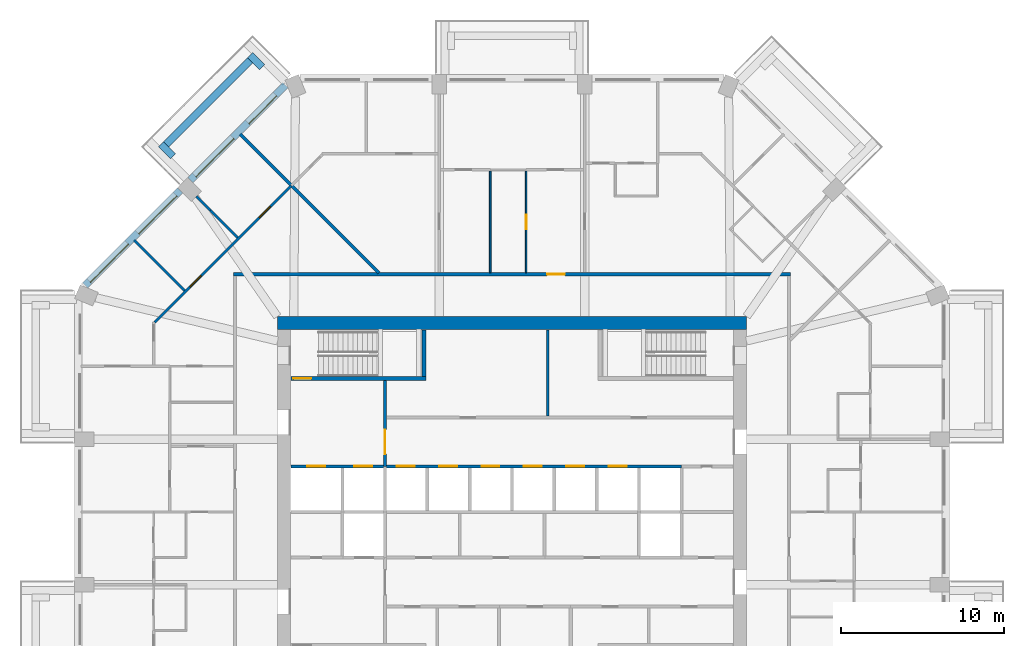
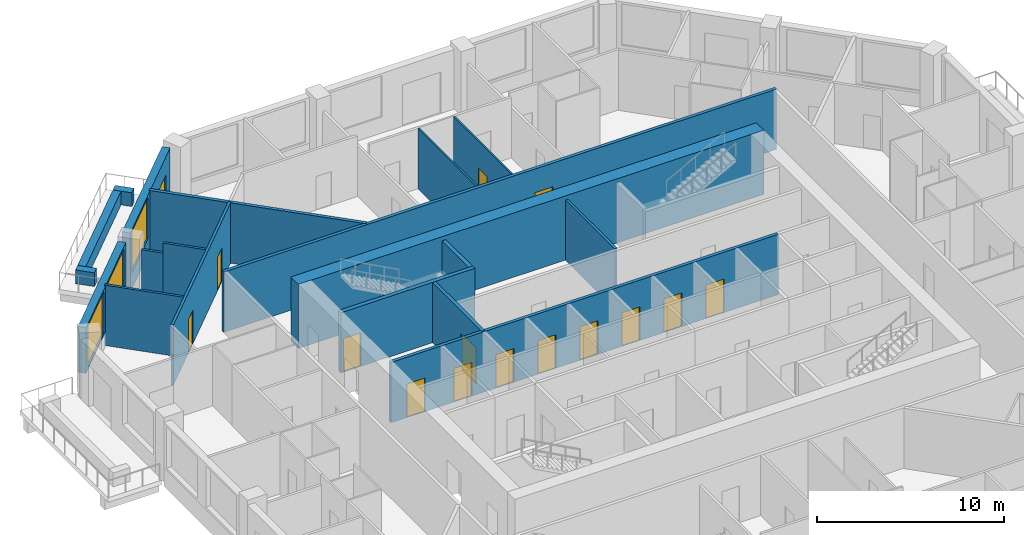
# One storey, part 8 of 13: 19 walls, 15 doors, 3 windows, 18 openings.
"""IFC4 building model written with IfcOpenShell, lengths in metres."""

from ifc_helpers import new_model, si_unit, direction, frame, frame_2d, origin, place, context, subcontext, project, spatial, rectangle, extrude, material, layer, layer_set, type_object, element, fill, save


model = new_model("IFC4")

# Units and contexts
model_context = context("Model", 3, precision=1e-05, world=origin(), true_north=direction((0.0, 1.0)))
body_context = subcontext(model_context, "Body", "Model", "MODEL_VIEW")
ifc_project = project(units=[si_unit("LENGTHUNIT", "METRE"), si_unit("AREAUNIT", "SQUARE_METRE"), si_unit("VOLUMEUNIT", "CUBIC_METRE"), si_unit("PLANEANGLEUNIT", "RADIAN"), si_unit("MASSUNIT", "GRAM", prefix="KILO")], contexts=[model_context])

# Site, building, storey
site_placement = place(None, origin())
site = spatial("IfcSite", under=ifc_project, at=site_placement, CompositionType="ELEMENT")
building_placement = place(site_placement, origin())
building = spatial("IfcBuilding", under=site, at=building_placement, Name="Msitu Wima Residences", CompositionType="ELEMENT")
storey_placement = place(building_placement, frame((0.0, 0.0, 140.10009765625)))
storey = spatial("IfcBuildingStorey", under=building, at=storey_placement, Name="L32", CompositionType="ELEMENT", Elevation=140.10009765625)

# Walls
ifc_material_1 = material(Name="Facing brick")
ifc_layer_1 = layer(ifc_material_1, 0.06494140625, Name="Facing brick")
ifc_material_2 = material(Name="Concrete C40/50", Category="concrete")
ifc_layer_2 = layer(ifc_material_2, 0.156005859375, Name="Concrete C40/50")
ifc_material_3 = material(Name="Waterproofing membrane")
ifc_layer_3 = layer(ifc_material_3, 0.00390625, Name="Waterproofing membrane")
ifc_material_4 = material(Name="Planting soil and planting")
ifc_layer_4 = layer(ifc_material_4, 0.22509765625, Name="Planting soil and planting")
ifc_layer_set_1 = layer_set([ifc_layer_1, ifc_layer_2, ifc_layer_3, ifc_layer_4], Name="Concrete C40/50")
wall_type_1 = type_object("IfcWallType", Name="Balcony planter PLANTER PL450", PredefinedType="USERDEFINED", material=ifc_layer_set_1)
wall_1_placement = place(storey_placement, frame((-16.0751953125, 27.725830078125, 0.0), z_axis=(0.0, 0.0, 1.0), x_axis=(-0.707106781187, -0.707106781187, 0.0)))
element("IfcWall", 1, at=wall_1_placement, inside=storey, type_object=wall_type_1, Name="Balcony planter NW0 L32", ObjectType="PLANTER", PredefinedType="USERDEFINED", context=body_context, shape_type="SweptSolid", body=[
    extrude(rectangle(XDim=7.288330078125, YDim=0.449951171875, at=frame_2d((3.64404296875, 0.0))), origin(), (0.0, 0.0, 1.0), 0.89990234375),
])
for number, where, z_axis, x_axis, name in (
    (2, (-15.332763671875, 27.301513671875, 0.0), (0.0, 0.0, 1.0), (-0.707106781187, 0.707106781187, 0.0), "Balcony planter NW0 L32"),
    (3, (-20.804443359375, 21.829833984375, 0.0), (0.0, 0.0, 1.0), (-0.707106781187, 0.707106781187, 0.0), "Balcony planter NW0 L32"),
):
    element("IfcWall", number, at=place(storey_placement, frame(where, z_axis=z_axis, x_axis=x_axis)), inside=storey, type_object=wall_type_1, Name=name, ObjectType="PLANTER", PredefinedType="USERDEFINED", context=body_context, shape_type="SweptSolid", body=[
        extrude(rectangle(XDim=1.050048828125, YDim=0.449951171875, at=frame_2d((0.52490234375, 0.0))), origin(), (0.0, 0.0, 1.0), 0.89990234375),
    ])

# Wall, openings, door, window
ifc_material_5 = material(Name="Brick (red buff mix)", Category="masonry")
ifc_layer_5 = layer(ifc_material_5, 0.449951171875)
ifc_layer_set_2 = layer_set([ifc_layer_5], Name="Brick (red buff mix)")
wall_type_2 = type_object("IfcWallType", Name="Brick infill wall BW450", PredefinedType="SOLIDWALL", material=ifc_layer_set_2)
wall_2_placement = place(storey_placement, frame((-13.909423828125, 26.214599609375, 0.0), z_axis=(0.0, 0.0, 1.0), x_axis=(-0.707106781187, -0.707106781187, 0.0)))
wall_2 = element("IfcWall", 4, at=wall_2_placement, inside=storey, type_object=wall_type_2, Name="Brick infill wall L32 NW0", PredefinedType="SOLIDWALL", context=body_context, shape_type="SweptSolid", body=[
    extrude(rectangle(XDim=8.251220703125, YDim=0.449951171875, at=frame_2d((4.12548828125, 0.0))), origin(), (0.0, 0.0, 1.0), 3.89990234375),
])
opening_1_placement = place(wall_2_placement, frame((0.86279296875, 0.0, 0.0)))
opening_1 = element("IfcOpeningElement", 5, at=opening_1_placement, cuts=wall_2, Name="Opening D30-32.005", PredefinedType="OPENING", context=body_context, shape_type="SweptSolid", body=[
    extrude(rectangle(XDim=2.39990234375, YDim=2.699951171875, at=frame_2d((1.199951171875, 1.35009765625))), frame((0.0, 0.23486328125, 0.0), z_axis=(0.0, -1.0, 0.0), x_axis=(1.0, 0.0, 0.0)), (0.0, 0.0, 1.0), 0.469970703125),
])
opening_2_placement = place(wall_2_placement, frame((4.57568359375, 0.0, 1.050048828125)))
opening_2 = element("IfcOpeningElement", 6, at=opening_2_placement, cuts=wall_2, Name="Opening W30-32.013", PredefinedType="OPENING", context=body_context, shape_type="SweptSolid", body=[
    extrude(rectangle(XDim=3.300048828125, YDim=2.699951171875, at=frame_2d((1.64990234375, 1.35009765625))), frame((0.0, 0.23486328125, 0.0), z_axis=(0.0, -1.0, 0.0), x_axis=(1.0, 0.0, 0.0)), (0.0, 0.0, 1.0), 0.469970703125),
])
ifc_material_6 = material(Name="Anodised aluminium, bronze finish, clear low-emissivity double glazing", Category="aluminium")
door_type_1 = type_object("IfcDoorType", Name="Balcony door D2400x2700", OperationType="SLIDING_TO_LEFT", PredefinedType="DOOR", material=ifc_material_6)
door_1_placement = place(opening_1_placement, origin())
door_1 = element("IfcDoor", 7, at=door_1_placement, inside=storey, type_object=door_type_1, Name="Balcony door L32 NW0", OperationType="SINGLE_SWING_LEFT", OverallHeight=2.699951171875, OverallWidth=2.39990234375, PredefinedType="DOOR", context=body_context, shape_type="SweptSolid", body=[
    extrude(rectangle(XDim=2.39990234375, YDim=2.699951171875, at=frame_2d((1.199951171875, 1.35009765625))), frame((0.0, 0.1298828125, 0.0), z_axis=(0.0, -1.0, 0.0), x_axis=(1.0, 0.0, 0.0)), (0.0, 0.0, 1.0), 0.050048828125),
])
fill(opening_1, door_1)
window_type = type_object("IfcWindowType", Name="Window W3300x2700", PartitioningType="DOUBLE_PANEL_VERTICAL", PredefinedType="WINDOW", material=ifc_material_6)
window_1_placement = place(opening_2_placement, origin())
window_1 = element("IfcWindow", 8, at=window_1_placement, inside=storey, type_object=window_type, Name="Window L32 NW0.2", OverallHeight=2.699951171875, OverallWidth=3.300048828125, PartitioningType="SINGLE_PANEL", PredefinedType="WINDOW", context=body_context, shape_type="SweptSolid", body=[
    extrude(rectangle(XDim=3.300048828125, YDim=2.699951171875, at=frame_2d((1.64990234375, 1.35009765625))), frame((0.0, 0.135009765625, 0.0), z_axis=(0.0, -1.0, 0.0), x_axis=(1.0, 0.0, 0.0)), (0.0, 0.0, 1.0), 0.06005859375),
])
fill(opening_2, window_1)

# Wall, openings, windows
wall_3_placement = place(storey_placement, frame((-20.380126953125, 19.743896484375, 0.89990234375), z_axis=(0.0, 0.0, 1.0), x_axis=(-0.707106781187, -0.707106781187, 0.0)))
wall_3 = element("IfcWall", 9, at=wall_3_placement, inside=storey, type_object=wall_type_2, Name="Brick infill wall L32 NW1", PredefinedType="SOLIDWALL", context=body_context, shape_type="SweptSolid", body=[
    extrude(rectangle(XDim=8.251220703125, YDim=0.449951171875, at=frame_2d((4.12548828125, 0.0))), origin(), (0.0, 0.0, 1.0), 3.0),
])
opening_3_placement = place(wall_3_placement, frame((0.37548828125, 0.0, 0.14990234375)))
opening_3 = element("IfcOpeningElement", 10, at=opening_3_placement, cuts=wall_3, Name="Opening W30-32.014", PredefinedType="OPENING", context=body_context, shape_type="SweptSolid", body=[
    extrude(rectangle(XDim=3.300048828125, YDim=2.699951171875, at=frame_2d((1.64990234375, 1.35009765625))), frame((0.0, 0.23486328125, 0.0), z_axis=(0.0, -1.0, 0.0), x_axis=(1.0, 0.0, 0.0)), (0.0, 0.0, 1.0), 0.469970703125),
])
opening_4_placement = place(wall_3_placement, frame((4.57568359375, 0.0, 0.14990234375)))
opening_4 = element("IfcOpeningElement", 11, at=opening_4_placement, cuts=wall_3, Name="Opening W30-32.015", PredefinedType="OPENING", context=body_context, shape_type="SweptSolid", body=[
    extrude(rectangle(XDim=3.300048828125, YDim=2.699951171875, at=frame_2d((1.64990234375, 1.35009765625))), frame((0.0, 0.23486328125, 0.0), z_axis=(0.0, -1.0, 0.0), x_axis=(1.0, 0.0, 0.0)), (0.0, 0.0, 1.0), 0.469970703125),
])
window_2_placement = place(opening_3_placement, origin())
window_2 = element("IfcWindow", 12, at=window_2_placement, inside=storey, type_object=window_type, Name="Window L32 NW1.1", OverallHeight=2.699951171875, OverallWidth=3.300048828125, PartitioningType="SINGLE_PANEL", PredefinedType="WINDOW", context=body_context, shape_type="SweptSolid", body=[
    extrude(rectangle(XDim=3.300048828125, YDim=2.699951171875, at=frame_2d((1.64990234375, 1.35009765625))), frame((0.0, 0.135009765625, 0.0), z_axis=(0.0, -1.0, 0.0), x_axis=(1.0, 0.0, 0.0)), (0.0, 0.0, 1.0), 0.06005859375),
])
fill(opening_3, window_2)
window_3_placement = place(opening_4_placement, origin())
window_3 = element("IfcWindow", 13, at=window_3_placement, inside=storey, type_object=window_type, Name="Window L32 NW1.2", OverallHeight=2.699951171875, OverallWidth=3.300048828125, PartitioningType="SINGLE_PANEL", PredefinedType="WINDOW", context=body_context, shape_type="SweptSolid", body=[
    extrude(rectangle(XDim=3.300048828125, YDim=2.699951171875, at=frame_2d((1.64990234375, 1.35009765625))), frame((0.0, 0.135009765625, 0.0), z_axis=(0.0, -1.0, 0.0), x_axis=(1.0, 0.0, 0.0)), (0.0, 0.0, 1.0), 0.06005859375),
])
fill(opening_4, window_3)

# Wall
ifc_material_7 = material(Name="Concrete C70/85", Category="concrete")
ifc_layer_6 = layer(ifc_material_7, 0.800048828125)
ifc_layer_set_3 = layer_set([ifc_layer_6], Name="Concrete C70/85")
wall_type_3 = type_object("IfcWallType", Name="Core wall CW800 C70/85", PredefinedType="SHEAR", material=ifc_layer_set_3)
wall_4_placement = place(storey_placement, frame((-14.39990234375, 11.60009765625, 0.0), z_axis=(0.0, 0.0, 1.0), x_axis=(1.0, 0.0, 0.0)))
element("IfcWall", 14, at=wall_4_placement, inside=storey, type_object=wall_type_3, Name="Core wall", PredefinedType="SHEAR", context=body_context, shape_type="SweptSolid", body=[
    extrude(rectangle(XDim=28.7998046875, YDim=0.800048828125, at=frame_2d((14.39990234375, 0.0))), origin(), (0.0, 0.0, 1.0), 4.199951171875),
])

# Wall, opening, door
ifc_material_8 = material(Name="Plaster")
ifc_layer_7 = layer(ifc_material_8, 0.011962890625, Name="Plaster")
ifc_material_9 = material(Name="Concrete blockwork", Category="masonry")
ifc_layer_8 = layer(ifc_material_9, 0.176025390625, Name="Concrete blockwork")
ifc_layer_9 = layer(ifc_material_8, 0.011962890625, Name="Plaster")
ifc_layer_set_4 = layer_set([ifc_layer_7, ifc_layer_8, ifc_layer_9], Name="Concrete blockwork")
wall_type_4 = type_object("IfcWallType", Name="Corridor wall FW200", PredefinedType="PARTITIONING", material=ifc_layer_set_4)
wall_5_placement = place(storey_placement, frame((-17.10009765625, 14.60009765625, 0.0), z_axis=(0.0, 0.0, 1.0), x_axis=(1.0, 0.0, 0.0)))
wall_5 = element("IfcWall", 15, at=wall_5_placement, inside=storey, type_object=wall_type_4, Name="Corridor wall", PredefinedType="PARTITIONING", context=body_context, shape_type="SweptSolid", body=[
    extrude(rectangle(XDim=34.2001953125, YDim=0.199951171875, at=frame_2d((17.10009765625, 0.0))), origin(), (0.0, 0.0, 1.0), 3.949951171875),
])
opening_5_placement = place(wall_5_placement, frame((19.25, 0.0, 0.0)))
opening_5 = element("IfcOpeningElement", 16, at=opening_5_placement, cuts=wall_5, Name="Opening D30-32.011", PredefinedType="OPENING", context=body_context, shape_type="SweptSolid", body=[
    extrude(rectangle(XDim=1.10009765625, YDim=2.39990234375, at=frame_2d((0.550048828125, 1.199951171875))), frame((0.0, 0.10986328125, 0.0), z_axis=(0.0, -1.0, 0.0), x_axis=(1.0, 0.0, 0.0)), (0.0, 0.0, 1.0), 0.219970703125),
])
ifc_material_10 = material(Name="Timber flush door, fire resisting, self-closing", Category="wood")
door_type_2 = type_object("IfcDoorType", Name="Flat entrance door D01 1100x2400", OperationType="SINGLE_SWING_LEFT", PredefinedType="DOOR", material=ifc_material_10)
door_2_placement = place(opening_5_placement, origin())
door_2 = element("IfcDoor", 17, at=door_2_placement, inside=storey, type_object=door_type_2, Name="Flat entrance door", OperationType="SINGLE_SWING_RIGHT", OverallHeight=2.39990234375, OverallWidth=1.10009765625, PredefinedType="DOOR", context=body_context, shape_type="SweptSolid", body=[
    extrude(rectangle(XDim=1.10009765625, YDim=2.39990234375, at=frame_2d((0.550048828125, 1.199951171875))), frame((0.0, 0.02490234375, 0.0), z_axis=(0.0, -1.0, 0.0), x_axis=(1.0, 0.0, 0.0)), (0.0, 0.0, 1.0), 0.050048828125),
])
fill(opening_5, door_2)

wall_6_placement = place(storey_placement, frame((-7.800048828125, 2.800048828125, 0.0), z_axis=(0.0, 0.0, 1.0), x_axis=(0.0, 1.0, 0.0)))
wall_6 = element("IfcWall", 18, at=wall_6_placement, inside=storey, type_object=wall_type_4, Name="Corridor wall", PredefinedType="PARTITIONING", context=body_context, shape_type="SweptSolid", body=[
    extrude(rectangle(XDim=5.27490234375, YDim=0.199951171875, at=frame_2d((2.637451171875, 0.0))), origin(), (0.0, 0.0, 1.0), 3.949951171875),
])
opening_6_placement = place(wall_6_placement, frame((0.75, 0.0, 0.0)))
opening_6 = element("IfcOpeningElement", 19, at=opening_6_placement, cuts=wall_6, Name="Opening D30-32.017", PredefinedType="OPENING", context=body_context, shape_type="SweptSolid", body=[
    extrude(rectangle(XDim=1.5, YDim=2.39990234375, at=frame_2d((0.75, 1.199951171875))), frame((0.0, 0.10986328125, 0.0), z_axis=(0.0, -1.0, 0.0), x_axis=(1.0, 0.0, 0.0)), (0.0, 0.0, 1.0), 0.219970703125),
])
ifc_material_11 = material(Name="Steel framed glazed door, fire resisting", Category="steel")
door_type_3 = type_object("IfcDoorType", Name="Lobby door D07 1500x2400", OperationType="DOUBLE_DOOR_SINGLE_SWING", PredefinedType="DOOR", material=ifc_material_11)
door_3_placement = place(opening_6_placement, origin())
door_3 = element("IfcDoor", 20, at=door_3_placement, inside=storey, type_object=door_type_3, Name="Lobby door", OperationType="DOUBLE_DOOR_SINGLE_SWING", OverallHeight=2.39990234375, OverallWidth=1.5, PredefinedType="DOOR", context=body_context, shape_type="SweptSolid", body=[
    extrude(rectangle(XDim=1.5, YDim=2.39990234375, at=frame_2d((0.75, 1.199951171875))), frame((0.0, 0.02490234375, 0.0), z_axis=(0.0, -1.0, 0.0), x_axis=(1.0, 0.0, 0.0)), (0.0, 0.0, 1.0), 0.050048828125),
])
fill(opening_6, door_3)

# Wall
ifc_layer_10 = layer(ifc_material_8, 0.011962890625, Name="Plaster")
ifc_layer_11 = layer(ifc_material_9, 0.1259765625, Name="Concrete blockwork")
ifc_layer_12 = layer(ifc_material_8, 0.011962890625, Name="Plaster")
ifc_layer_set_5 = layer_set([ifc_layer_10, ifc_layer_11, ifc_layer_12], Name="Concrete blockwork")
wall_type_5 = type_object("IfcWallType", Name="Partition PW150", PredefinedType="PARTITIONING", material=ifc_layer_set_5)
wall_7_placement = place(storey_placement, frame((-23.1904296875, 16.693359375, 0.0), z_axis=(0.0, 0.0, 1.0), x_axis=(0.707106781187, -0.707106781187, 0.0)))
element("IfcWall", 21, at=wall_7_placement, inside=storey, type_object=wall_type_5, Name="Partition", PredefinedType="PARTITIONING", context=body_context, shape_type="SweptSolid", body=[
    extrude(rectangle(XDim=4.380126953125, YDim=0.14990234375, at=frame_2d((2.18994140625, 0.0))), origin(), (0.0, 0.0, 1.0), 3.949951171875),
])

# Wall, openings, doors
wall_8_placement = place(storey_placement, frame((-21.947021484375, 11.636474609375, 0.0), z_axis=(0.0, 0.0, 1.0), x_axis=(0.707106781187, 0.707106781187, 0.0)))
wall_8 = element("IfcWall", 22, at=wall_8_placement, inside=storey, type_object=wall_type_5, Name="Partition", PredefinedType="PARTITIONING", context=body_context, shape_type="SweptSolid", body=[
    extrude(rectangle(XDim=11.884765625, YDim=0.14990234375, at=frame_2d((5.9423828125, 0.0))), origin(), (0.0, 0.0, 1.0), 3.949951171875),
])
opening_7_placement = place(wall_8_placement, frame((9.10009765625, 0.0, 0.0)))
opening_7 = element("IfcOpeningElement", 23, at=opening_7_placement, cuts=wall_8, Name="Opening D30-32.056", PredefinedType="OPENING", context=body_context, shape_type="SweptSolid", body=[
    extrude(rectangle(XDim=0.949951171875, YDim=2.199951171875, at=frame_2d((0.47509765625, 1.10009765625))), frame((0.0, 0.0849609375, 0.0), z_axis=(0.0, -1.0, 0.0), x_axis=(1.0, 0.0, 0.0)), (0.0, 0.0, 1.0), 0.169921875),
])
opening_8_placement = place(wall_8_placement, frame((3.10009765625, 0.0, 0.0)))
opening_8 = element("IfcOpeningElement", 24, at=opening_8_placement, cuts=wall_8, Name="Opening D30-32.057", PredefinedType="OPENING", context=body_context, shape_type="SweptSolid", body=[
    extrude(rectangle(XDim=0.949951171875, YDim=2.199951171875, at=frame_2d((0.47509765625, 1.10009765625))), frame((0.0, 0.0849609375, 0.0), z_axis=(0.0, -1.0, 0.0), x_axis=(1.0, 0.0, 0.0)), (0.0, 0.0, 1.0), 0.169921875),
])
ifc_material_12 = material(Name="Timber flush door", Category="wood")
door_type_4 = type_object("IfcDoorType", Name="Room door D12 950x2200", OperationType="SINGLE_SWING_LEFT", PredefinedType="DOOR", material=ifc_material_12)
door_4_placement = place(opening_7_placement, origin())
door_4 = element("IfcDoor", 25, at=door_4_placement, inside=storey, type_object=door_type_4, Name="Room door", OperationType="SINGLE_SWING_LEFT", OverallHeight=2.199951171875, OverallWidth=0.949951171875, PredefinedType="DOOR", context=body_context, shape_type="SweptSolid", body=[
    extrude(rectangle(XDim=0.949951171875, YDim=2.199951171875, at=frame_2d((0.47509765625, 1.10009765625))), frame((0.0, 0.02490234375, 0.0), z_axis=(0.0, -1.0, 0.0), x_axis=(1.0, 0.0, 0.0)), (0.0, 0.0, 1.0), 0.050048828125),
])
fill(opening_7, door_4)
door_5_placement = place(opening_8_placement, origin())
door_5 = element("IfcDoor", 26, at=door_5_placement, inside=storey, type_object=door_type_4, Name="Room door", OperationType="SINGLE_SWING_LEFT", OverallHeight=2.199951171875, OverallWidth=0.949951171875, PredefinedType="DOOR", context=body_context, shape_type="SweptSolid", body=[
    extrude(rectangle(XDim=0.949951171875, YDim=2.199951171875, at=frame_2d((0.47509765625, 1.10009765625))), frame((0.0, 0.02490234375, 0.0), z_axis=(0.0, -1.0, 0.0), x_axis=(1.0, 0.0, 0.0)), (0.0, 0.0, 1.0), 0.050048828125),
])
fill(opening_8, door_5)

# Walls
wall_9_placement = place(storey_placement, frame((-19.37255859375, 19.37255859375, 0.0), z_axis=(0.0, 0.0, 1.0), x_axis=(0.707106781187, -0.707106781187, 0.0)))
element("IfcWall", 27, at=wall_9_placement, inside=storey, type_object=wall_type_5, Name="Partition", PredefinedType="PARTITIONING", context=body_context, shape_type="SweptSolid", body=[
    extrude(rectangle(XDim=1.209228515625, YDim=0.14990234375, at=frame_2d((0.6044921875, 0.0))), origin(), (0.0, 0.0, 1.0), 3.2998046875),
])
wall_10_placement = place(storey_placement, frame((-18.517578125, 18.517578125, 0.0), z_axis=(0.0, 0.0, 1.0), x_axis=(0.707106781187, -0.707106781187, 0.0)))
element("IfcWall", 28, at=wall_10_placement, inside=storey, type_object=wall_type_5, Name="Partition", PredefinedType="PARTITIONING", context=body_context, shape_type="SweptSolid", body=[
    extrude(rectangle(XDim=2.36572265625, YDim=0.14990234375, at=frame_2d((1.182861328125, 0.0))), origin(), (0.0, 0.0, 1.0), 3.949951171875),
])
wall_11_placement = place(storey_placement, frame((2.199951171875, 5.89990234375, 0.0), z_axis=(0.0, 0.0, 1.0), x_axis=(0.0, 1.0, 0.0)))
element("IfcWall", 29, at=wall_11_placement, inside=storey, type_object=wall_type_5, Name="Partition", PredefinedType="PARTITIONING", context=body_context, shape_type="SweptSolid", body=[
    extrude(rectangle(XDim=5.27001953125, YDim=0.14990234375, at=frame_2d((2.635009765625, 0.0))), origin(), (0.0, 0.0, 1.0), 3.949951171875),
])
ifc_layer_13 = layer(ifc_material_8, 0.011962890625, Name="Plaster")
ifc_material_13 = material(Name="Dense concrete blockwork", Category="masonry")
ifc_layer_14 = layer(ifc_material_13, 0.176025390625, Name="Dense concrete blockwork")
ifc_layer_15 = layer(ifc_material_8, 0.011962890625, Name="Plaster")
ifc_layer_set_6 = layer_set([ifc_layer_13, ifc_layer_14, ifc_layer_15], Name="Dense concrete blockwork")
wall_type_6 = type_object("IfcWallType", Name="Party wall PW200", PredefinedType="PARTITIONING", material=ifc_layer_set_6)
wall_12_placement = place(storey_placement, frame((-16.693359375, 23.1904296875, 0.0), z_axis=(0.0, 0.0, 1.0), x_axis=(0.707106781187, -0.707106781187, 0.0)))
element("IfcWall", 30, at=wall_12_placement, inside=storey, type_object=wall_type_6, Name="Party wall", PredefinedType="PARTITIONING", context=body_context, shape_type="SweptSolid", body=[
    extrude(rectangle(XDim=12.048828125, YDim=0.199951171875, at=frame_2d((6.0244140625, 0.0))), origin(), (0.0, 0.0, 1.0), 3.949951171875),
])

# Wall, openings, doors
ifc_material_14 = material(Name="Fire-rated board")
ifc_layer_16 = layer(ifc_material_14, 0.02490234375, Name="Fire-rated board")
ifc_material_15 = material(Name="Light-gauge stud framing with mineral wool")
ifc_layer_17 = layer(ifc_material_15, 0.14990234375, Name="Light-gauge stud framing with mineral wool")
ifc_layer_18 = layer(ifc_material_14, 0.02490234375, Name="Fire-rated board")
ifc_layer_set_7 = layer_set([ifc_layer_16, ifc_layer_17, ifc_layer_18], Name="Light-gauge stud framing with mineral wool")
wall_type_7 = type_object("IfcWallType", Name="Shaft wall SH200", PredefinedType="PARTITIONING", material=ifc_layer_set_7)
wall_13_placement = place(storey_placement, frame((-13.570068359375, 2.800048828125, 0.0), z_axis=(0.0, 0.0, 1.0), x_axis=(1.0, 0.0, 0.0)))
wall_13 = element("IfcWall", 31, at=wall_13_placement, inside=storey, type_object=wall_type_7, Name="Shaft wall", PredefinedType="PARTITIONING", context=body_context, shape_type="SweptSolid", body=[
    extrude(rectangle(XDim=23.969970703125, YDim=0.199951171875, at=frame_2d((11.98486328125, 0.0))), origin(), (0.0, 0.0, 1.0), 3.949951171875),
])
opening_9_placement = place(wall_13_placement, frame((1.0, 0.0, 0.0)))
opening_9 = element("IfcOpeningElement", 32, at=opening_9_placement, cuts=wall_13, Name="Opening LD", PredefinedType="OPENING", context=body_context, shape_type="SweptSolid", body=[
    extrude(rectangle(XDim=1.10009765625, YDim=2.199951171875, at=frame_2d((0.550048828125, 1.10009765625))), frame((0.0, 0.10986328125, 0.0), z_axis=(0.0, -1.0, 0.0), x_axis=(1.0, 0.0, 0.0)), (0.0, 0.0, 1.0), 0.219970703125),
])
opening_10_placement = place(wall_13_placement, frame((3.89990234375, 0.0, 0.0)))
opening_10 = element("IfcOpeningElement", 33, at=opening_10_placement, cuts=wall_13, Name="Opening LD", PredefinedType="OPENING", context=body_context, shape_type="SweptSolid", body=[
    extrude(rectangle(XDim=1.10009765625, YDim=2.199951171875, at=frame_2d((0.550048828125, 1.10009765625))), frame((0.0, 0.10986328125, 0.0), z_axis=(0.0, -1.0, 0.0), x_axis=(1.0, 0.0, 0.0)), (0.0, 0.0, 1.0), 0.219970703125),
])
opening_11_placement = place(wall_13_placement, frame((6.5, 0.0, 0.0)))
opening_11 = element("IfcOpeningElement", 34, at=opening_11_placement, cuts=wall_13, Name="Opening LD", PredefinedType="OPENING", context=body_context, shape_type="SweptSolid", body=[
    extrude(rectangle(XDim=1.10009765625, YDim=2.199951171875, at=frame_2d((0.550048828125, 1.10009765625))), frame((0.0, 0.10986328125, 0.0), z_axis=(0.0, -1.0, 0.0), x_axis=(1.0, 0.0, 0.0)), (0.0, 0.0, 1.0), 0.219970703125),
])
opening_12_placement = place(wall_13_placement, frame((9.10009765625, 0.0, 0.0)))
opening_12 = element("IfcOpeningElement", 35, at=opening_12_placement, cuts=wall_13, Name="Opening LD", PredefinedType="OPENING", context=body_context, shape_type="SweptSolid", body=[
    extrude(rectangle(XDim=1.10009765625, YDim=2.199951171875, at=frame_2d((0.550048828125, 1.10009765625))), frame((0.0, 0.10986328125, 0.0), z_axis=(0.0, -1.0, 0.0), x_axis=(1.0, 0.0, 0.0)), (0.0, 0.0, 1.0), 0.219970703125),
])
opening_13_placement = place(wall_13_placement, frame((11.699951171875, 0.0, 0.0)))
opening_13 = element("IfcOpeningElement", 36, at=opening_13_placement, cuts=wall_13, Name="Opening LD", PredefinedType="OPENING", context=body_context, shape_type="SweptSolid", body=[
    extrude(rectangle(XDim=1.10009765625, YDim=2.199951171875, at=frame_2d((0.550048828125, 1.10009765625))), frame((0.0, 0.10986328125, 0.0), z_axis=(0.0, -1.0, 0.0), x_axis=(1.0, 0.0, 0.0)), (0.0, 0.0, 1.0), 0.219970703125),
])
opening_14_placement = place(wall_13_placement, frame((14.300048828125, 0.0, 0.0)))
opening_14 = element("IfcOpeningElement", 37, at=opening_14_placement, cuts=wall_13, Name="Opening LD", PredefinedType="OPENING", context=body_context, shape_type="SweptSolid", body=[
    extrude(rectangle(XDim=1.10009765625, YDim=2.199951171875, at=frame_2d((0.550048828125, 1.10009765625))), frame((0.0, 0.10986328125, 0.0), z_axis=(0.0, -1.0, 0.0), x_axis=(1.0, 0.0, 0.0)), (0.0, 0.0, 1.0), 0.219970703125),
])
opening_15_placement = place(wall_13_placement, frame((16.89990234375, 0.0, 0.0)))
opening_15 = element("IfcOpeningElement", 38, at=opening_15_placement, cuts=wall_13, Name="Opening LD", PredefinedType="OPENING", context=body_context, shape_type="SweptSolid", body=[
    extrude(rectangle(XDim=1.10009765625, YDim=2.199951171875, at=frame_2d((0.550048828125, 1.10009765625))), frame((0.0, 0.10986328125, 0.0), z_axis=(0.0, -1.0, 0.0), x_axis=(1.0, 0.0, 0.0)), (0.0, 0.0, 1.0), 0.219970703125),
])
opening_16_placement = place(wall_13_placement, frame((19.5, 0.0, 0.0)))
opening_16 = element("IfcOpeningElement", 39, at=opening_16_placement, cuts=wall_13, Name="Opening LD", PredefinedType="OPENING", context=body_context, shape_type="SweptSolid", body=[
    extrude(rectangle(XDim=1.10009765625, YDim=2.199951171875, at=frame_2d((0.550048828125, 1.10009765625))), frame((0.0, 0.10986328125, 0.0), z_axis=(0.0, -1.0, 0.0), x_axis=(1.0, 0.0, 0.0)), (0.0, 0.0, 1.0), 0.219970703125),
])
ifc_material_16 = material(Name="Stainless steel centre-opening landing door, rated", Category="steel")
door_type_5 = type_object("IfcDoorType", Name="Lift landing door LD 1100x2200", OperationType="DOUBLE_DOOR_SLIDING", PredefinedType="DOOR", material=ifc_material_16)
door_6_placement = place(opening_9_placement, origin())
door_6 = element("IfcDoor", 40, at=door_6_placement, inside=storey, type_object=door_type_5, Name="Lift landing door LD1", OperationType="DOUBLE_DOOR_SLIDING", OverallHeight=2.199951171875, OverallWidth=1.10009765625, PredefinedType="DOOR", context=body_context, shape_type="SweptSolid", body=[
    extrude(rectangle(XDim=1.10009765625, YDim=2.199951171875, at=frame_2d((0.550048828125, 1.10009765625))), frame((0.0, 0.02490234375, 0.0), z_axis=(0.0, -1.0, 0.0), x_axis=(1.0, 0.0, 0.0)), (0.0, 0.0, 1.0), 0.050048828125),
])
fill(opening_9, door_6)
door_7_placement = place(opening_10_placement, origin())
door_7 = element("IfcDoor", 41, at=door_7_placement, inside=storey, type_object=door_type_5, Name="Lift landing door LD2", OperationType="DOUBLE_DOOR_SLIDING", OverallHeight=2.199951171875, OverallWidth=1.10009765625, PredefinedType="DOOR", context=body_context, shape_type="SweptSolid", body=[
    extrude(rectangle(XDim=1.10009765625, YDim=2.199951171875, at=frame_2d((0.550048828125, 1.10009765625))), frame((0.0, 0.02490234375, 0.0), z_axis=(0.0, -1.0, 0.0), x_axis=(1.0, 0.0, 0.0)), (0.0, 0.0, 1.0), 0.050048828125),
])
fill(opening_10, door_7)
door_8_placement = place(opening_11_placement, origin())
door_8 = element("IfcDoor", 42, at=door_8_placement, inside=storey, type_object=door_type_5, Name="Lift landing door LD4", OperationType="DOUBLE_DOOR_SLIDING", OverallHeight=2.199951171875, OverallWidth=1.10009765625, PredefinedType="DOOR", context=body_context, shape_type="SweptSolid", body=[
    extrude(rectangle(XDim=1.10009765625, YDim=2.199951171875, at=frame_2d((0.550048828125, 1.10009765625))), frame((0.0, 0.02490234375, 0.0), z_axis=(0.0, -1.0, 0.0), x_axis=(1.0, 0.0, 0.0)), (0.0, 0.0, 1.0), 0.050048828125),
])
fill(opening_11, door_8)
door_9_placement = place(opening_12_placement, origin())
door_9 = element("IfcDoor", 43, at=door_9_placement, inside=storey, type_object=door_type_5, Name="Lift landing door LD6", OperationType="DOUBLE_DOOR_SLIDING", OverallHeight=2.199951171875, OverallWidth=1.10009765625, PredefinedType="DOOR", context=body_context, shape_type="SweptSolid", body=[
    extrude(rectangle(XDim=1.10009765625, YDim=2.199951171875, at=frame_2d((0.550048828125, 1.10009765625))), frame((0.0, 0.02490234375, 0.0), z_axis=(0.0, -1.0, 0.0), x_axis=(1.0, 0.0, 0.0)), (0.0, 0.0, 1.0), 0.050048828125),
])
fill(opening_12, door_9)
door_10_placement = place(opening_13_placement, origin())
door_10 = element("IfcDoor", 44, at=door_10_placement, inside=storey, type_object=door_type_5, Name="Lift landing door LD8", OperationType="DOUBLE_DOOR_SLIDING", OverallHeight=2.199951171875, OverallWidth=1.10009765625, PredefinedType="DOOR", context=body_context, shape_type="SweptSolid", body=[
    extrude(rectangle(XDim=1.10009765625, YDim=2.199951171875, at=frame_2d((0.550048828125, 1.10009765625))), frame((0.0, 0.02490234375, 0.0), z_axis=(0.0, -1.0, 0.0), x_axis=(1.0, 0.0, 0.0)), (0.0, 0.0, 1.0), 0.050048828125),
])
fill(opening_13, door_10)
door_11_placement = place(opening_14_placement, origin())
door_11 = element("IfcDoor", 45, at=door_11_placement, inside=storey, type_object=door_type_5, Name="Lift landing door LD10", OperationType="DOUBLE_DOOR_SLIDING", OverallHeight=2.199951171875, OverallWidth=1.10009765625, PredefinedType="DOOR", context=body_context, shape_type="SweptSolid", body=[
    extrude(rectangle(XDim=1.10009765625, YDim=2.199951171875, at=frame_2d((0.550048828125, 1.10009765625))), frame((0.0, 0.02490234375, 0.0), z_axis=(0.0, -1.0, 0.0), x_axis=(1.0, 0.0, 0.0)), (0.0, 0.0, 1.0), 0.050048828125),
])
fill(opening_14, door_11)
door_12_placement = place(opening_15_placement, origin())
door_12 = element("IfcDoor", 46, at=door_12_placement, inside=storey, type_object=door_type_5, Name="Lift landing door LD12", OperationType="DOUBLE_DOOR_SLIDING", OverallHeight=2.199951171875, OverallWidth=1.10009765625, PredefinedType="DOOR", context=body_context, shape_type="SweptSolid", body=[
    extrude(rectangle(XDim=1.10009765625, YDim=2.199951171875, at=frame_2d((0.550048828125, 1.10009765625))), frame((0.0, 0.02490234375, 0.0), z_axis=(0.0, -1.0, 0.0), x_axis=(1.0, 0.0, 0.0)), (0.0, 0.0, 1.0), 0.050048828125),
])
fill(opening_15, door_12)
door_13_placement = place(opening_16_placement, origin())
door_13 = element("IfcDoor", 47, at=door_13_placement, inside=storey, type_object=door_type_5, Name="Lift landing door LD14", OperationType="DOUBLE_DOOR_SLIDING", OverallHeight=2.199951171875, OverallWidth=1.10009765625, PredefinedType="DOOR", context=body_context, shape_type="SweptSolid", body=[
    extrude(rectangle(XDim=1.10009765625, YDim=2.199951171875, at=frame_2d((0.550048828125, 1.10009765625))), frame((0.0, 0.02490234375, 0.0), z_axis=(0.0, -1.0, 0.0), x_axis=(1.0, 0.0, 0.0)), (0.0, 0.0, 1.0), 0.050048828125),
])
fill(opening_16, door_13)

# Wall, opening, door
ifc_material_17 = material(Name="Concrete C50/60", Category="concrete")
ifc_layer_19 = layer(ifc_material_17, 0.25)
ifc_layer_set_8 = layer_set([ifc_layer_19], Name="Concrete C50/60")
wall_type_8 = type_object("IfcWallType", Name="Stair enclosure wall SW250", PredefinedType="SHEAR", material=ifc_layer_set_8)
wall_14_placement = place(storey_placement, frame((-13.570068359375, 8.199951171875, 0.0), z_axis=(0.0, 0.0, 1.0), x_axis=(1.0, 0.0, 0.0)))
wall_14 = element("IfcWall", 48, at=wall_14_placement, inside=storey, type_object=wall_type_8, Name="Stair enclosure wall", PredefinedType="SHEAR", context=body_context, shape_type="SweptSolid", body=[
    extrude(rectangle(XDim=8.295166015625, YDim=0.25, at=frame_2d((4.1474609375, 0.0))), origin(), (0.0, 0.0, 1.0), 3.949951171875),
])
opening_17_placement = place(wall_14_placement, frame((0.14990234375, 0.0, 0.0)))
opening_17 = element("IfcOpeningElement", 49, at=opening_17_placement, cuts=wall_14, Name="Opening D30-32.035", PredefinedType="OPENING", context=body_context, shape_type="SweptSolid", body=[
    extrude(rectangle(XDim=1.10009765625, YDim=2.199951171875, at=frame_2d((0.550048828125, 1.10009765625))), frame((0.0, 0.135009765625, 0.0), z_axis=(0.0, -1.0, 0.0), x_axis=(1.0, 0.0, 0.0)), (0.0, 0.0, 1.0), 0.27001953125),
])
ifc_material_18 = material(Name="Steel door, fire resisting, panic bar", Category="steel")
door_type_6 = type_object("IfcDoorType", Name="Stair door D06 1100x2200", OperationType="SINGLE_SWING_LEFT", PredefinedType="DOOR", material=ifc_material_18)
door_14_placement = place(opening_17_placement, origin())
door_14 = element("IfcDoor", 50, at=door_14_placement, inside=storey, type_object=door_type_6, Name="Stair door", OperationType="SINGLE_SWING_LEFT", OverallHeight=2.199951171875, OverallWidth=1.10009765625, PredefinedType="DOOR", context=body_context, shape_type="SweptSolid", body=[
    extrude(rectangle(XDim=1.10009765625, YDim=2.199951171875, at=frame_2d((0.550048828125, 1.10009765625))), frame((0.0, 0.02490234375, 0.0), z_axis=(0.0, -1.0, 0.0), x_axis=(1.0, 0.0, 0.0)), (0.0, 0.0, 1.0), 0.050048828125),
])
fill(opening_17, door_14)

# Walls
wall_15_placement = place(storey_placement, frame((-5.39990234375, 8.324951171875, 0.0), z_axis=(0.0, 0.0, 1.0), x_axis=(0.0, 1.0, 0.0)))
element("IfcWall", 51, at=wall_15_placement, inside=storey, type_object=wall_type_8, Name="Stair enclosure wall", PredefinedType="SHEAR", context=body_context, shape_type="SweptSolid", body=[
    extrude(rectangle(XDim=2.844970703125, YDim=0.25, at=frame_2d((1.42236328125, 0.0))), origin(), (0.0, 0.0, 1.0), 3.949951171875),
])
ifc_material_19 = material(Name="Ceramic tiles")
ifc_layer_20 = layer(ifc_material_19, 0.008056640625, Name="Ceramic tiles")
ifc_material_20 = material(Name="Moisture-resistant board")
ifc_layer_21 = layer(ifc_material_20, 0.012451171875, Name="Moisture-resistant board")
ifc_layer_22 = layer(ifc_material_15, 0.06689453125, Name="Light-gauge stud framing with mineral wool")
ifc_layer_23 = layer(ifc_material_20, 0.012451171875, Name="Moisture-resistant board")
ifc_layer_set_9 = layer_set([ifc_layer_20, ifc_layer_21, ifc_layer_22, ifc_layer_23], Name="Light-gauge stud framing with mineral wool")
wall_type_9 = type_object("IfcWallType", Name="Wet wall PW100", PredefinedType="PARTITIONING", material=ifc_layer_set_9)
wall_16_placement = place(storey_placement, frame((-1.331298828125, 14.699951171875, 0.0), z_axis=(0.0, 0.0, 1.0), x_axis=(0.0, 1.0, 0.0)))
element("IfcWall", 52, at=wall_16_placement, inside=storey, type_object=wall_type_9, Name="Wet wall", PredefinedType="PARTITIONING", context=body_context, shape_type="SweptSolid", body=[
    extrude(rectangle(XDim=6.22509765625, YDim=0.10009765625, at=frame_2d((3.112548828125, 0.0))), origin(), (0.0, 0.0, 1.0), 3.949951171875),
])

# Wall, opening, door
wall_17_placement = place(storey_placement, frame((0.86865234375, 14.699951171875, 0.0), z_axis=(0.0, 0.0, 1.0), x_axis=(0.0, 1.0, 0.0)))
wall_17 = element("IfcWall", 53, at=wall_17_placement, inside=storey, type_object=wall_type_9, Name="Wet wall", PredefinedType="PARTITIONING", context=body_context, shape_type="SweptSolid", body=[
    extrude(rectangle(XDim=6.22509765625, YDim=0.10009765625, at=frame_2d((3.112548828125, 0.0))), origin(), (0.0, 0.0, 1.0), 3.949951171875),
])
opening_18_placement = place(wall_17_placement, frame((2.64990234375, 0.0, 0.0)))
opening_18 = element("IfcOpeningElement", 54, at=opening_18_placement, cuts=wall_17, Name="Opening D30-32.051", PredefinedType="OPENING", context=body_context, shape_type="SweptSolid", body=[
    extrude(rectangle(XDim=0.89990234375, YDim=2.199951171875, at=frame_2d((0.449951171875, 1.10009765625))), frame((0.0, 0.06005859375, 0.0), z_axis=(0.0, -1.0, 0.0), x_axis=(1.0, 0.0, 0.0)), (0.0, 0.0, 1.0), 0.1201171875),
])
ifc_material_21 = material(Name="Timber flush door, moisture resistant", Category="wood")
door_type_7 = type_object("IfcDoorType", Name="Bathroom door D03 900x2200", OperationType="SINGLE_SWING_LEFT", PredefinedType="DOOR", material=ifc_material_21)
door_15_placement = place(opening_18_placement, origin())
door_15 = element("IfcDoor", 55, at=door_15_placement, inside=storey, type_object=door_type_7, Name="Bathroom door", OperationType="SINGLE_SWING_LEFT", OverallHeight=2.199951171875, OverallWidth=0.89990234375, PredefinedType="DOOR", context=body_context, shape_type="SweptSolid", body=[
    extrude(rectangle(XDim=0.89990234375, YDim=2.199951171875, at=frame_2d((0.449951171875, 1.10009765625))), frame((0.0, 0.02490234375, 0.0), z_axis=(0.0, -1.0, 0.0), x_axis=(1.0, 0.0, 0.0)), (0.0, 0.0, 1.0), 0.050048828125),
])
fill(opening_18, door_15)

save(model, "model.ifc")
